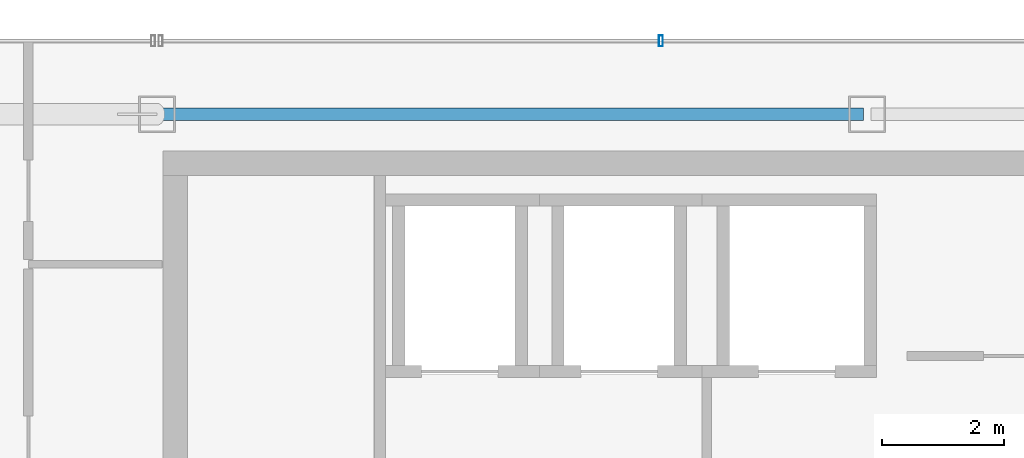
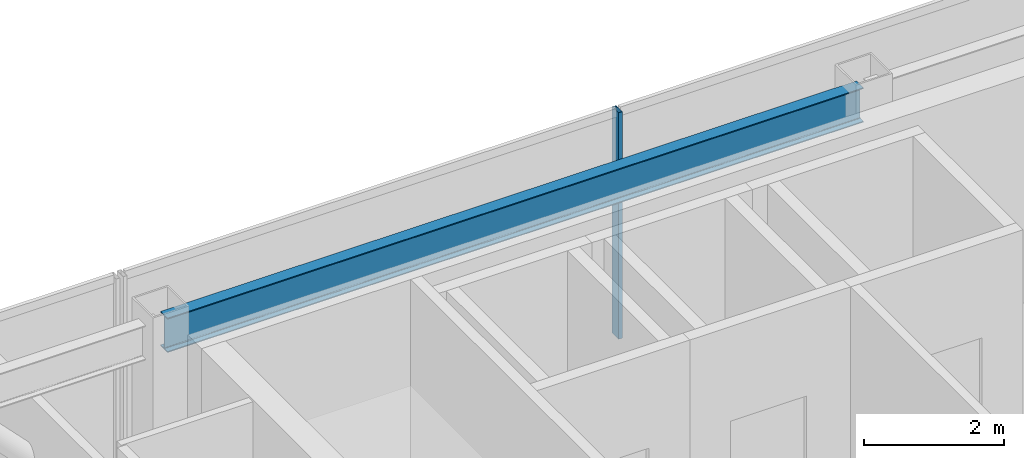
# One storey, part 7 of 20: 1 beam, 1 member, 1 element without a shape of its own.
"""IFC4 building model written with IfcOpenShell, lengths in metres."""

from ifc_helpers import new_model, si_unit, direction, frame, origin, origin_2d, place, context, subcontext, project, spatial, hollow_rectangle, i_section, extrude, material, material_profile, profile_set, type_object, element, aggregate, save


model = new_model("IFC4")

# Units and contexts
model_context = context("Model", 3, precision=1e-05, world=origin(), true_north=direction((0.0, 1.0)))
body_context = subcontext(model_context, "Body", "Model", "MODEL_VIEW")
ifc_project = project(units=[si_unit("LENGTHUNIT", "METRE"), si_unit("AREAUNIT", "SQUARE_METRE"), si_unit("VOLUMEUNIT", "CUBIC_METRE"), si_unit("PLANEANGLEUNIT", "RADIAN"), si_unit("MASSUNIT", "GRAM", prefix="KILO")], contexts=[model_context])

# Site, building, storey
site_placement = place(None, origin())
site = spatial("IfcSite", under=ifc_project, at=site_placement, CompositionType="ELEMENT")
building_placement = place(site_placement, origin())
building = spatial("IfcBuilding", under=site, at=building_placement, Name="Saevonmaru Cultural Tower", CompositionType="ELEMENT")
storey_placement = place(building_placement, frame((0.0, 0.0, 319.199951171875)))
storey = spatial("IfcBuildingStorey", under=building, at=storey_placement, Name="L76", CompositionType="ELEMENT", Elevation=319.199951171875)

# Beam
ifc_material_1 = material(Name="Steel SM355", Category="steel")
ifc_material_profile_1 = material_profile(ifc_material_1, i_section(OverallWidth=0.199951171875, OverallDepth=0.60009765625, WebThickness=0.010986328125, FlangeThickness=0.01708984375, FilletRadius=0.02197265625, at=origin_2d()), Name="H-600x200x11x17")
ifc_profile_set_1 = profile_set([ifc_material_profile_1], Name="Steel SM355")
beam_type = type_object("IfcBeamType", Name="BM-SP-H600", PredefinedType="SPANDREL", material=ifc_profile_set_1)
beam_placement = place(storey_placement, frame((13.659912109375, 54.800048828125, 3.650146484375), z_axis=(1.0, 0.0, 0.0), x_axis=(0.0, 1.0, 0.0)))
element("IfcBeam", 1, at=beam_placement, inside=storey, type_object=beam_type, Name="L76 North Spine Girder 2", PredefinedType="SPANDREL", context=body_context, shape_type="SweptSolid", body=[
    extrude(i_section(OverallWidth=0.199951171875, OverallDepth=0.60009765625, WebThickness=0.010986328125, FlangeThickness=0.01708984375, FilletRadius=0.02197265625, at=origin_2d()), origin(), (0.0, 0.0, 1.0), 11.47998046875),
])

# Curtain wall, member
ifc_material_2 = material(Name="Satin Bronze Anodised Aluminium", Category="aluminium")
curtain_wall_type = type_object("IfcCurtainWallType", Name="CW-SKY-GLZ", PredefinedType="NOTDEFINED", material=ifc_material_2)
curtain_wall_placement = place(storey_placement, origin())
curtain_wall = element("IfcCurtainWall", 2, at=curtain_wall_placement, inside=storey, type_object=curtain_wall_type, Name="L76 North Spine Unitised Curtain Wall E10B", PredefinedType="NOTDEFINED")
ifc_material_profile_2 = material_profile(ifc_material_2, hollow_rectangle(XDim=0.06494140625, YDim=0.179931640625, WallThickness=0.00390625, at=origin_2d()), Name="ALU-MULL-180x65x4")
ifc_profile_set_2 = profile_set([ifc_material_profile_2], Name="Satin Bronze Anodised Aluminium")
member_type = type_object("IfcMemberType", Name="ML-CW-180x65", PredefinedType="MULLION", material=ifc_profile_set_2)
member_placement = place(storey_placement, frame((21.830078125, 56.0, 0.0), z_axis=(0.0, 0.0, 1.0), x_axis=(-1.0, 0.0, 0.0)))
member = element("IfcMember", 3, at=member_placement, type_object=member_type, Name="CW-TW-L76-E10B mullion 4", PredefinedType="MULLION", context=body_context, shape_type="SweptSolid", body=[
    extrude(hollow_rectangle(XDim=0.06494140625, YDim=0.179931640625, WallThickness=0.00390625, at=origin_2d()), origin(), (0.0, 0.0, 1.0), 3.949951171875),
])
aggregate(curtain_wall, [member])

save(model, "model.ifc")
